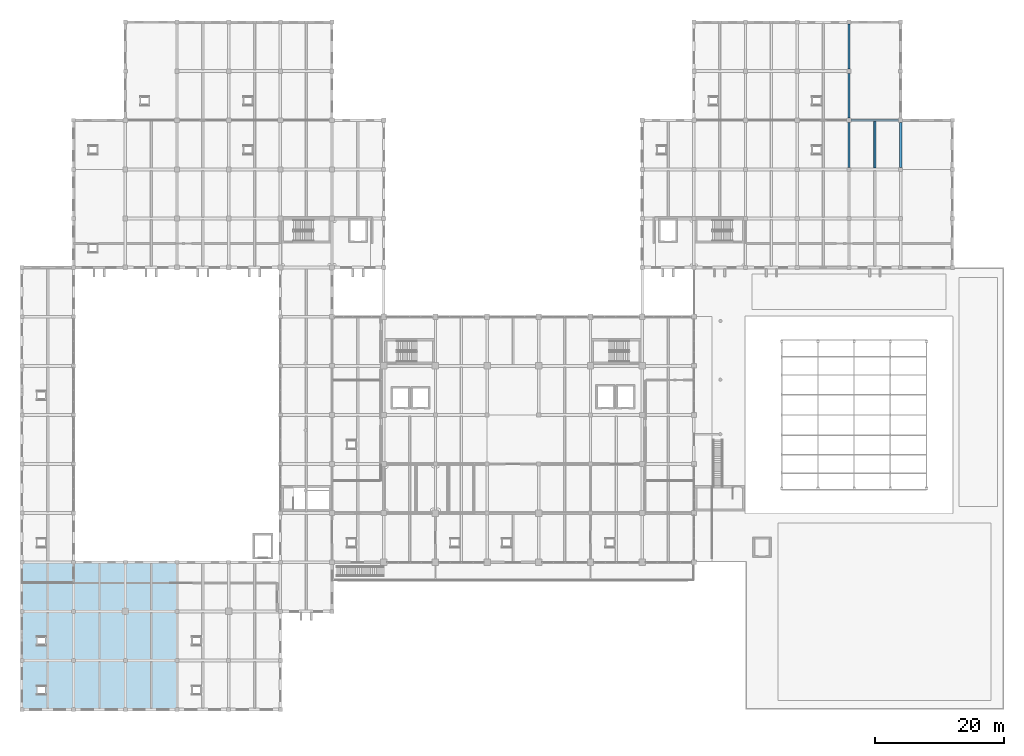
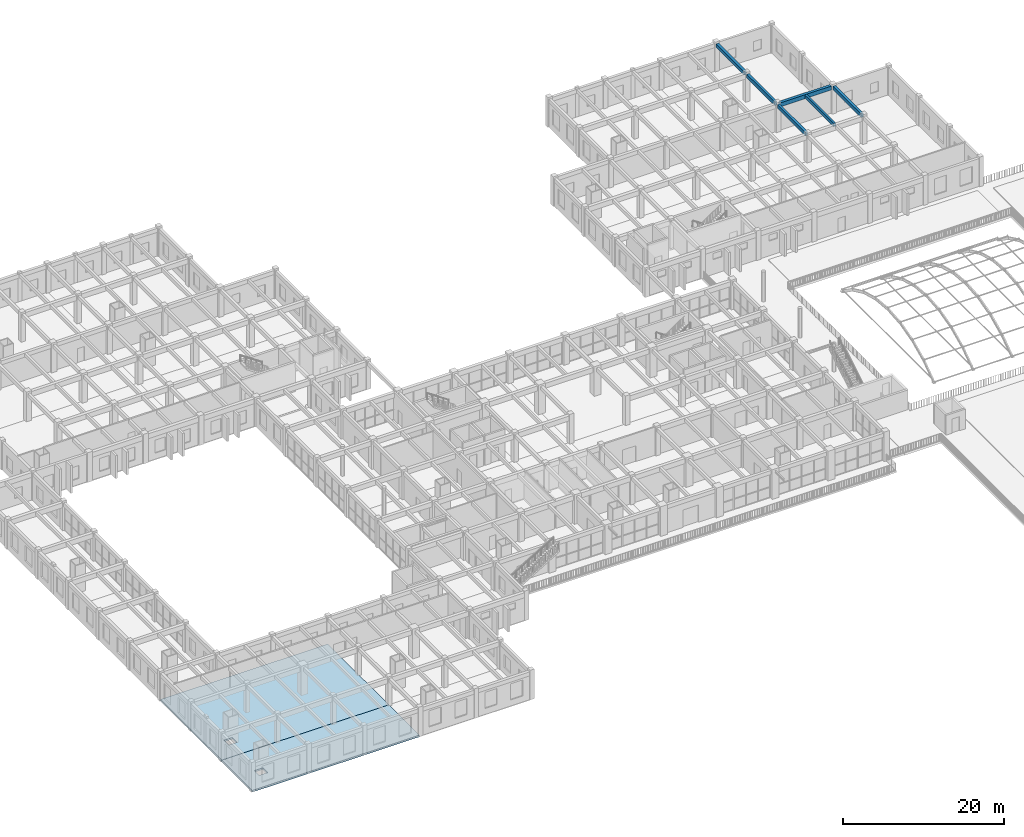
# One storey, part 41 of 79: 6 beams, 2 slabs.
"""IFC4 building model written with IfcOpenShell, lengths in metres."""

from ifc_helpers import new_model, si_unit, direction, frame, origin, origin_2d, place, context, subcontext, project, spatial, polyline, rectangle, outline, extrude, material, layer, layer_set, material_profile, profile_set, type_object, element, save


model = new_model("IFC4")

# Units and contexts
model_context = context("Model", 3, precision=1e-05, world=origin(), true_north=direction((0.0, 1.0)))
body_context = subcontext(model_context, "Body", "Model", "MODEL_VIEW")
ifc_project = project(units=[si_unit("LENGTHUNIT", "METRE"), si_unit("AREAUNIT", "SQUARE_METRE"), si_unit("VOLUMEUNIT", "CUBIC_METRE"), si_unit("PLANEANGLEUNIT", "RADIAN"), si_unit("MASSUNIT", "GRAM", prefix="KILO")], contexts=[model_context])

# Site, building, storey
site_placement = place(None, origin())
site = spatial("IfcSite", under=ifc_project, at=site_placement, CompositionType="ELEMENT")
building_placement = place(site_placement, origin())
building = spatial("IfcBuilding", under=site, at=building_placement, Name="Zantavel Square City Hall", CompositionType="ELEMENT")
storey_placement = place(building_placement, frame((0.0, 0.0, 10.199951171875)))
storey = spatial("IfcBuildingStorey", under=building, at=storey_placement, Name="L03", CompositionType="ELEMENT", Elevation=10.199951171875)

# Beams
ifc_material = material(Name="Concrete C35/45", Category="concrete")
ifc_material_profile_1 = material_profile(ifc_material, rectangle(XDim=0.300048828125, YDim=0.5, at=origin_2d()), Name="RC 300x500")
ifc_profile_set_1 = profile_set([ifc_material_profile_1], Name="Concrete C35/45")
beam_type_1 = type_object("IfcBeamType", Name="Floor Joist RC 300x500 C35/45", PredefinedType="JOIST", material=ifc_profile_set_1)
beam_1_placement = place(storey_placement, frame((140.0, 91.425048828125, 3.969970703125), z_axis=(0.0, 1.0, 0.0), x_axis=(-1.0, 0.0, 0.0)))
element("IfcBeam", 1, at=beam_1_placement, inside=storey, type_object=beam_type_1, Name="L03 Floor Joist JST-L03-1400-0912", PredefinedType="JOIST", context=body_context, shape_type="SweptSolid", body=[
    extrude(rectangle(XDim=0.300048828125, YDim=0.5, at=origin_2d()), origin(), (0.0, 0.0, 1.0), 7.175048828125),
])
ifc_material_profile_2 = material_profile(ifc_material, rectangle(XDim=0.39990234375, YDim=0.60009765625, at=origin_2d()), Name="RC 400x600")
ifc_profile_set_2 = profile_set([ifc_material_profile_2], Name="Concrete C35/45")
beam_type_2 = type_object("IfcBeamType", Name="Perimeter Spandrel RC 400x600 C35/45", PredefinedType="SPANDREL", material=ifc_profile_set_2)
beam_2_placement = place(storey_placement, frame((136.324951171875, 98.800048828125, 3.920166015625), z_axis=(1.0, 0.0, 0.0), x_axis=(0.0, 1.0, 0.0)))
element("IfcBeam", 2, at=beam_2_placement, inside=storey, type_object=beam_type_2, Name="L03 Girder BMX-L03-1360-0988", PredefinedType="SPANDREL", context=body_context, shape_type="SweptSolid", body=[
    extrude(rectangle(XDim=0.39990234375, YDim=0.60009765625, at=origin_2d()), origin(), (0.0, 0.0, 1.0), 7.35009765625),
])
ifc_material_profile_3 = material_profile(ifc_material, rectangle(XDim=0.35009765625, YDim=0.550048828125, at=origin_2d()), Name="RC 350x550")
ifc_profile_set_3 = profile_set([ifc_material_profile_3], Name="Concrete C35/45")
beam_type_3 = type_object("IfcBeamType", Name="Secondary Beam RC 350x550 C35/45", PredefinedType="BEAM", material=ifc_profile_set_3)
beam_3_placement = place(storey_placement, frame((136.0, 91.52490234375, 3.945068359375), z_axis=(0.0, 1.0, 0.0), x_axis=(-1.0, 0.0, 0.0)))
element("IfcBeam", 3, at=beam_3_placement, inside=storey, type_object=beam_type_3, Name="L03 Beam BMY-L03-1360-0912", PredefinedType="BEAM", context=body_context, shape_type="SweptSolid", body=[
    extrude(rectangle(XDim=0.35009765625, YDim=0.550048828125, at=origin_2d()), origin(), (0.0, 0.0, 1.0), 6.9501953125),
])
for number, where, z_axis, x_axis, name in (
    (4, (136.0, 99.125, 3.945068359375), (0.0, 1.0, 0.0), (-1.0, 0.0, 0.0), "L03 Beam BMY-L03-1360-0988"),
    (5, (136.0, 106.72509765625, 3.945068359375), (0.0, 1.0, 0.0), (-1.0, 0.0, 0.0), "L03 Beam BMY-L03-1360-1064"),
):
    element("IfcBeam", number, at=place(storey_placement, frame(where, z_axis=z_axis, x_axis=x_axis)), inside=storey, type_object=beam_type_3, Name=name, PredefinedType="BEAM", context=body_context, shape_type="SweptSolid", body=[
        extrude(rectangle(XDim=0.35009765625, YDim=0.550048828125, at=origin_2d()), origin(), (0.0, 0.0, 1.0), 6.949951171875),
    ])
beam_4_placement = place(storey_placement, frame((144.0, 91.52490234375, 3.945068359375), z_axis=(0.0, 1.0, 0.0), x_axis=(-1.0, 0.0, 0.0)))
element("IfcBeam", 6, at=beam_4_placement, inside=storey, type_object=beam_type_3, Name="L03 Beam BMY-L03-1440-0912", PredefinedType="BEAM", context=body_context, shape_type="SweptSolid", body=[
    extrude(rectangle(XDim=0.35009765625, YDim=0.550048828125, at=origin_2d()), origin(), (0.0, 0.0, 1.0), 6.9501953125),
])

# Slabs
ifc_layer = layer(ifc_material, 0.260009765625, Name="Concrete C35/45")
ifc_layer_set = layer_set([ifc_layer], Name="Concrete C35/45")
slab_type = type_object("IfcSlabType", Name="Council & Executive Slab 260mm C35/45", PredefinedType="FLOOR", material=ifc_layer_set)
slab_1_placement = place(storey_placement, frame((0.0, 0.0, -0.260009765625)))
element("IfcSlab", 7, at=slab_1_placement, inside=storey, type_object=slab_type, Name="L03 Floor Slab SLB-L03-V3S-01", PredefinedType="FLOOR", context=body_context, shape_type="SweptSolid", body=[
    extrude(outline(polyline([(8.0, 15.199951171875), (32.0, 15.199951171875), (32.0, 7.60009765625), (8.0, 7.60009765625), (8.0, 15.199951171875)]), holes=[polyline([(11.60009765625, 11.199951171875), (10.39990234375, 11.199951171875), (10.39990234375, 10.0), (11.60009765625, 10.0), (11.60009765625, 11.199951171875)])]), origin(), (0.0, 0.0, 1.0), 0.260009765625),
])
slab_2_placement = place(storey_placement, frame((0.0, 0.0, -0.260009765625)))
element("IfcSlab", 8, at=slab_2_placement, inside=storey, type_object=slab_type, Name="L03 Floor Slab SLB-L03-V3S-03", PredefinedType="FLOOR", context=body_context, shape_type="SweptSolid", body=[
    extrude(outline(polyline([(32.0, 30.39990234375), (32.0, 15.199951171875), (8.0, 15.199951171875), (8.0, 30.39990234375), (32.0, 30.39990234375)]), holes=[polyline([(11.60009765625, 18.800048828125), (10.39990234375, 18.800048828125), (10.39990234375, 17.60009765625), (11.60009765625, 17.60009765625), (11.60009765625, 18.800048828125)])]), origin(), (0.0, 0.0, 1.0), 0.260009765625),
])

save(model, "model.ifc")
